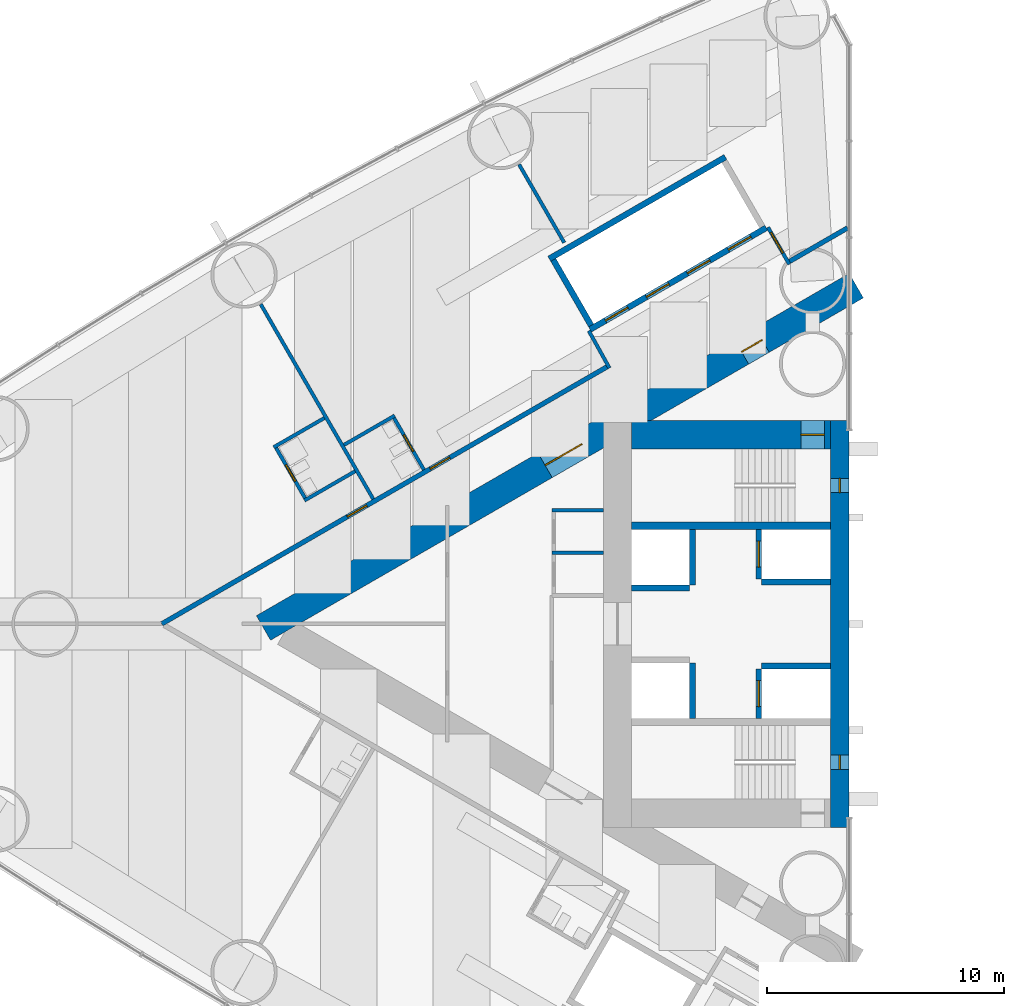
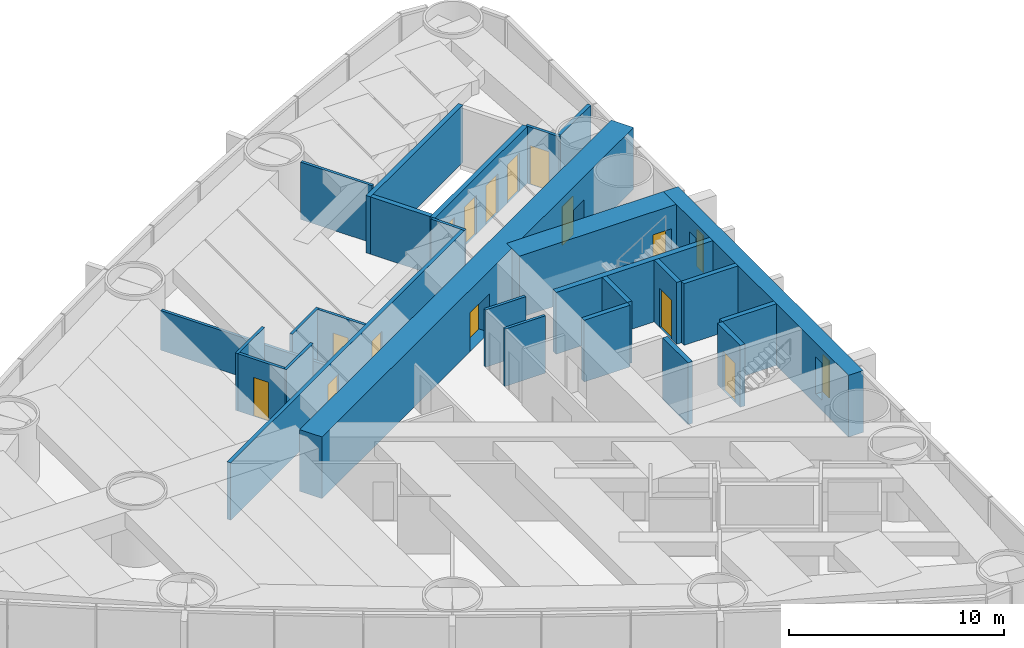
# One storey, part 12 of 19: 27 walls, 14 doors, 2 windows, 16 openings.
"""IFC4 building model written with IfcOpenShell, lengths in metres."""

from ifc_helpers import new_model, si_unit, direction, frame, frame_2d, origin, place, context, subcontext, project, spatial, rectangle, extrude, material, layer, layer_set, type_object, element, fill, save


model = new_model("IFC4")

# Units and contexts
model_context = context("Model", 3, precision=1e-05, world=origin(), true_north=direction((0.0, 1.0)))
body_context = subcontext(model_context, "Body", "Model", "MODEL_VIEW")
ifc_project = project(units=[si_unit("LENGTHUNIT", "METRE"), si_unit("AREAUNIT", "SQUARE_METRE"), si_unit("VOLUMEUNIT", "CUBIC_METRE"), si_unit("PLANEANGLEUNIT", "RADIAN"), si_unit("MASSUNIT", "GRAM", prefix="KILO")], contexts=[model_context])

# Site, building, storey
site_placement = place(None, origin())
site = spatial("IfcSite", under=ifc_project, at=site_placement, CompositionType="ELEMENT")
building_placement = place(site_placement, origin())
building = spatial("IfcBuilding", under=site, at=building_placement, Name="Lancet Gate Hotel", CompositionType="ELEMENT")
storey_placement = place(building_placement, frame((0.0, 0.0, 21.5)))
storey = spatial("IfcBuildingStorey", under=building, at=storey_placement, Name="L04", CompositionType="ELEMENT", Elevation=21.5)

# Wall
ifc_material_1 = material(Name="Moisture resistant board partition")
ifc_layer_1 = layer(ifc_material_1, 0.14990234375)
ifc_layer_set_1 = layer_set([ifc_layer_1], Name="Bathroom wall 150")
wall_type_1 = type_object("IfcWallType", Name="Bathroom wall 150", PredefinedType="PARTITIONING", material=ifc_layer_set_1)
wall_1_placement = place(storey_placement, frame((-49.691650390625, 8.704345703125, 0.0), z_axis=(0.0, 0.0, 1.0), x_axis=(-0.866073894602, -0.499916002032, 0.0)))
element("IfcWall", 1, at=wall_1_placement, inside=storey, type_object=wall_type_1, Name="T1 bathroom wall 150 L04", PredefinedType="PARTITIONING", context=body_context, shape_type="SweptSolid", body=[
    extrude(rectangle(XDim=2.47509765625, YDim=0.14990234375, at=frame_2d((1.237548828125, 0.0))), origin(), (0.0, 0.0, 1.0), 3.25),
])

# Wall, opening, door
wall_2_placement = place(storey_placement, frame((-50.47021484375, 5.252685546875, 0.0), z_axis=(0.0, 0.0, 1.0), x_axis=(-0.500006934395, 0.866021400173, 0.0)))
wall_2 = element("IfcWall", 2, at=wall_2_placement, inside=storey, type_object=wall_type_1, Name="T1 bathroom wall 150 L04", PredefinedType="PARTITIONING", context=body_context, shape_type="SweptSolid", body=[
    extrude(rectangle(XDim=2.60009765625, YDim=0.14990234375, at=frame_2d((1.300048828125, 0.0))), origin(), (0.0, 0.0, 1.0), 3.25),
])
opening_1_placement = place(wall_2_placement, frame((0.89990234375, 0.0, 0.0)))
opening_1 = element("IfcOpeningElement", 3, at=opening_1_placement, cuts=wall_2, Name="Opening 0403-B", PredefinedType="OPENING", context=body_context, shape_type="SweptSolid", body=[
    extrude(rectangle(XDim=0.800048828125, YDim=2.199951171875, at=frame_2d((0.39990234375, 1.10009765625))), frame((0.0, 0.0849609375, 0.0), z_axis=(0.0, -1.0, 0.0), x_axis=(1.0, 0.0, 0.0)), (0.0, 0.0, 1.0), 0.169921875),
])
ifc_material_2 = material(Name="Timber door set", Category="wood")
door_type_1 = type_object("IfcDoorType", Name="Bathroom door 800", OperationType="SINGLE_SWING_RIGHT", PredefinedType="DOOR", material=ifc_material_2)
door_1_placement = place(opening_1_placement, origin())
door_1 = element("IfcDoor", 4, at=door_1_placement, inside=storey, type_object=door_type_1, Name="0403-B", OperationType="SINGLE_SWING_RIGHT", OverallHeight=2.199951171875, OverallWidth=0.800048828125, PredefinedType="DOOR", context=body_context, shape_type="SweptSolid", body=[
    extrude(rectangle(XDim=0.800048828125, YDim=2.199951171875, at=frame_2d((0.39990234375, 1.10009765625))), frame((0.0, 0.02490234375, 0.0), z_axis=(0.0, -1.0, 0.0), x_axis=(1.0, 0.0, 0.0)), (0.0, 0.0, 1.0), 0.050048828125),
])
fill(opening_1, door_1)

# Walls
for number, where, z_axis, x_axis, name in (
    (5, (-48.391845703125, 6.45263671875, 0.0), (0.0, 0.0, 1.0), (-0.86604923931, -0.499958713387, 0.0), "T1 bathroom wall 150 L04"),
    (6, (-46.718505859375, 8.804443359375, 0.0), (0.0, 0.0, 1.0), (-0.866006523861, -0.500032699561, 0.0), "T1 bathroom wall 150 L04"),
):
    element("IfcWall", number, at=place(storey_placement, frame(where, z_axis=z_axis, x_axis=x_axis)), inside=storey, type_object=wall_type_1, Name=name, PredefinedType="PARTITIONING", context=body_context, shape_type="SweptSolid", body=[
        extrude(rectangle(XDim=2.474853515625, YDim=0.14990234375, at=frame_2d((1.2373046875, 0.0))), origin(), (0.0, 0.0, 1.0), 3.25),
    ])

# Wall, opening, door
wall_3_placement = place(storey_placement, frame((-45.4833984375, 6.515380859375, 0.0), z_axis=(0.0, 0.0, 1.0), x_axis=(-0.500006934395, 0.866021400173, 0.0)))
wall_3 = element("IfcWall", 7, at=wall_3_placement, inside=storey, type_object=wall_type_1, Name="T1 bathroom wall 150 L04", PredefinedType="PARTITIONING", context=body_context, shape_type="SweptSolid", body=[
    extrude(rectangle(XDim=2.60009765625, YDim=0.14990234375, at=frame_2d((1.300048828125, 0.0))), origin(), (0.0, 0.0, 1.0), 3.25),
])
opening_2_placement = place(wall_3_placement, frame((0.89990234375, 0.0, 0.0)))
opening_2 = element("IfcOpeningElement", 8, at=opening_2_placement, cuts=wall_3, Name="Opening 0402-B", PredefinedType="OPENING", context=body_context, shape_type="SweptSolid", body=[
    extrude(rectangle(XDim=0.800048828125, YDim=2.199951171875, at=frame_2d((0.39990234375, 1.10009765625))), frame((0.0, 0.0849609375, 0.0), z_axis=(0.0, -1.0, 0.0), x_axis=(1.0, 0.0, 0.0)), (0.0, 0.0, 1.0), 0.169921875),
])
door_2_placement = place(opening_2_placement, origin())
door_2 = element("IfcDoor", 9, at=door_2_placement, inside=storey, type_object=door_type_1, Name="0402-B", OperationType="SINGLE_SWING_RIGHT", OverallHeight=2.199951171875, OverallWidth=0.800048828125, PredefinedType="DOOR", context=body_context, shape_type="SweptSolid", body=[
    extrude(rectangle(XDim=0.800048828125, YDim=2.199951171875, at=frame_2d((0.39990234375, 1.10009765625))), frame((0.0, 0.02490234375, 0.0), z_axis=(0.0, -1.0, 0.0), x_axis=(1.0, 0.0, 0.0)), (0.0, 0.0, 1.0), 0.050048828125),
])
fill(opening_2, door_2)

# Wall, openings, doors
ifc_material_3 = material(Name="Concrete C70/85", Category="concrete")
ifc_layer_2 = layer(ifc_material_3, 1.199951171875)
ifc_layer_set_2 = layer_set([ifc_layer_2], Name="Buttress wall 1200")
wall_type_2 = type_object("IfcWallType", Name="Buttress wall 1200", PredefinedType="SHEAR", material=ifc_layer_set_2)
wall_4_placement = place(storey_placement, frame((-27.199951171875, 14.300048828125, 0.0), z_axis=(0.0, 0.0, 1.0), x_axis=(-0.866026593062, -0.499997940104, 0.0)))
wall_4 = element("IfcWall", 10, at=wall_4_placement, inside=storey, type_object=wall_type_2, Name="T1 buttress wall S L04", PredefinedType="SHEAR", context=body_context, shape_type="SweptSolid", body=[
    extrude(rectangle(XDim=28.9462890625, YDim=1.199951171875, at=frame_2d((14.47314453125, 0.0))), origin(), (0.0, 0.0, 1.0), 3.5),
])
opening_3_placement = place(wall_4_placement, frame((4.60009765625, 0.0, 0.0)))
opening_3 = element("IfcOpeningElement", 11, at=opening_3_placement, cuts=wall_4, Name="Opening T1-L04-LS", PredefinedType="OPENING", context=body_context, shape_type="SweptSolid", body=[
    extrude(rectangle(XDim=1.0, YDim=2.199951171875, at=frame_2d((0.5, 1.10009765625))), frame((0.0, 0.60986328125, 0.0), z_axis=(0.0, -1.0, 0.0), x_axis=(1.0, 0.0, 0.0)), (0.0, 0.0, 1.0), 1.219970703125),
])
opening_4_placement = place(wall_4_placement, frame((13.39453125, 0.0, 0.0)))
opening_4 = element("IfcOpeningElement", 12, at=opening_4_placement, cuts=wall_4, Name="Opening T1-L04-LHS", PredefinedType="OPENING", context=body_context, shape_type="SweptSolid", body=[
    extrude(rectangle(XDim=1.800048828125, YDim=2.199951171875, at=frame_2d((0.89990234375, 1.10009765625))), frame((0.0, 0.60986328125, 0.0), z_axis=(0.0, -1.0, 0.0), x_axis=(1.0, 0.0, 0.0)), (0.0, 0.0, 1.0), 1.219970703125),
])
ifc_material_4 = material(Name="Timber door set", Category="wood")
door_type_2 = type_object("IfcDoorType", Name="Lobby double door 1800", OperationType="DOUBLE_DOOR_SINGLE_SWING", PredefinedType="DOOR", material=ifc_material_4)
door_3_placement = place(opening_4_placement, origin())
door_3 = element("IfcDoor", 13, at=door_3_placement, inside=storey, type_object=door_type_2, Name="T1-L04-LHS", OperationType="DOUBLE_DOOR_SINGLE_SWING", OverallHeight=2.199951171875, OverallWidth=1.800048828125, PredefinedType="DOOR", context=body_context, shape_type="SweptSolid", body=[
    extrude(rectangle(XDim=1.800048828125, YDim=2.199951171875, at=frame_2d((0.89990234375, 1.10009765625))), frame((0.0, 0.02490234375, 0.0), z_axis=(0.0, -1.0, 0.0), x_axis=(1.0, 0.0, 0.0)), (0.0, 0.0, 1.0), 0.050048828125),
])
fill(opening_4, door_3)
ifc_material_5 = material(Name="Timber door set", Category="wood")
door_type_3 = type_object("IfcDoorType", Name="Stair lobby door 1000", OperationType="SINGLE_SWING_LEFT", PredefinedType="DOOR", material=ifc_material_5)
door_4_placement = place(opening_3_placement, origin())
door_4 = element("IfcDoor", 14, at=door_4_placement, inside=storey, type_object=door_type_3, Name="T1-L04-LS", OperationType="SINGLE_SWING_LEFT", OverallHeight=2.199951171875, OverallWidth=1.0, PredefinedType="DOOR", context=body_context, shape_type="SweptSolid", body=[
    extrude(rectangle(XDim=1.0, YDim=2.199951171875, at=frame_2d((0.5, 1.10009765625))), frame((0.0, 0.02490234375, 0.0), z_axis=(0.0, -1.0, 0.0), x_axis=(1.0, 0.0, 0.0)), (0.0, 0.0, 1.0), 0.050048828125),
])
fill(opening_3, door_4)

# Wall, opening, door
ifc_material_6 = material(Name="Concrete C70/85", Category="concrete")
ifc_layer_3 = layer(ifc_material_6, 1.199951171875)
ifc_layer_set_3 = layer_set([ifc_layer_3], Name="Core wall 1200")
wall_type_3 = type_object("IfcWallType", Name="Core wall 1200", PredefinedType="SHEAR", material=ifc_layer_set_3)
wall_5_placement = place(storey_placement, frame((-28.300048828125, 8.0, 0.0), z_axis=(0.0, 0.0, 1.0), x_axis=(-1.0, 0.0, 0.0)))
wall_5 = element("IfcWall", 15, at=wall_5_placement, inside=storey, type_object=wall_type_3, Name="T1 core wall side-S L04", PredefinedType="SHEAR", context=body_context, shape_type="SweptSolid", body=[
    extrude(rectangle(XDim=8.39990234375, YDim=1.199951171875, at=frame_2d((4.199951171875, 0.0))), origin(), (0.0, 0.0, 1.0), 3.5),
])
opening_5_placement = place(wall_5_placement, frame((0.25, 0.0, 0.0)))
opening_5 = element("IfcOpeningElement", 16, at=opening_5_placement, cuts=wall_5, Name="Opening T1-L04-ST1", PredefinedType="OPENING", context=body_context, shape_type="SweptSolid", body=[
    extrude(rectangle(XDim=1.0, YDim=2.199951171875, at=frame_2d((0.5, 1.10009765625))), frame((0.0, 0.60986328125, 0.0), z_axis=(0.0, -1.0, 0.0), x_axis=(1.0, 0.0, 0.0)), (0.0, 0.0, 1.0), 1.219970703125),
])
ifc_material_7 = material(Name="Timber door set", Category="wood")
door_type_4 = type_object("IfcDoorType", Name="Stair door 1000", OperationType="SINGLE_SWING_RIGHT", PredefinedType="DOOR", material=ifc_material_7)
door_5_placement = place(opening_5_placement, origin())
door_5 = element("IfcDoor", 17, at=door_5_placement, inside=storey, type_object=door_type_4, Name="T1-L04-ST1", OperationType="SINGLE_SWING_RIGHT", OverallHeight=2.199951171875, OverallWidth=1.0, PredefinedType="DOOR", context=body_context, shape_type="SweptSolid", body=[
    extrude(rectangle(XDim=1.0, YDim=2.199951171875, at=frame_2d((0.5, 1.10009765625))), frame((0.0, 0.02490234375, 0.0), z_axis=(0.0, -1.0, 0.0), x_axis=(1.0, 0.0, 0.0)), (0.0, 0.0, 1.0), 0.050048828125),
])
fill(opening_5, door_5)

# Wall, openings, windows
ifc_material_8 = material(Name="Concrete C70/85", Category="concrete")
ifc_layer_4 = layer(ifc_material_8, 0.800048828125)
ifc_layer_set_4 = layer_set([ifc_layer_4], Name="Core wall 800")
wall_type_4 = type_object("IfcWallType", Name="Core wall 800", PredefinedType="SHEAR", material=ifc_layer_set_4)
wall_6_placement = place(storey_placement, frame((-27.89990234375, 8.60009765625, 0.0), z_axis=(0.0, 0.0, 1.0), x_axis=(0.0, -1.0, 0.0)))
wall_6 = element("IfcWall", 18, at=wall_6_placement, inside=storey, type_object=wall_type_4, Name="T1 core wall front L04", PredefinedType="SHEAR", context=body_context, shape_type="SweptSolid", body=[
    extrude(rectangle(XDim=17.2001953125, YDim=0.800048828125, at=frame_2d((8.60009765625, 0.0))), origin(), (0.0, 0.0, 1.0), 3.5),
])
opening_6_placement = place(wall_6_placement, frame((2.449951171875, 0.0, 0.60009765625)))
opening_6 = element("IfcOpeningElement", 19, at=opening_6_placement, cuts=wall_6, Name="Opening LW1", PredefinedType="OPENING", context=body_context, shape_type="SweptSolid", body=[
    extrude(rectangle(XDim=0.60009765625, YDim=2.10009765625, at=frame_2d((0.300048828125, 1.050048828125))), frame((0.0, 0.409912109375, 0.0), z_axis=(0.0, -1.0, 0.0), x_axis=(1.0, 0.0, 0.0)), (0.0, 0.0, 1.0), 0.820068359375),
])
opening_7_placement = place(wall_6_placement, frame((14.14990234375, 0.0, 0.60009765625)))
opening_7 = element("IfcOpeningElement", 20, at=opening_7_placement, cuts=wall_6, Name="Opening LW1", PredefinedType="OPENING", context=body_context, shape_type="SweptSolid", body=[
    extrude(rectangle(XDim=0.60009765625, YDim=2.10009765625, at=frame_2d((0.300048828125, 1.050048828125))), frame((0.0, 0.409912109375, 0.0), z_axis=(0.0, -1.0, 0.0), x_axis=(1.0, 0.0, 0.0)), (0.0, 0.0, 1.0), 0.820068359375),
])
ifc_material_9 = material(Name="Fire-resisting glazed steel window", Category="steel")
window_type = type_object("IfcWindowType", Name="Lancet window 600x2100", PartitioningType="SINGLE_PANEL", PredefinedType="WINDOW", material=ifc_material_9)
window_1_placement = place(opening_6_placement, origin())
window_1 = element("IfcWindow", 21, at=window_1_placement, inside=storey, type_object=window_type, Name="T1 stair window S L04", OverallHeight=2.10009765625, OverallWidth=0.60009765625, PartitioningType="SINGLE_PANEL", PredefinedType="WINDOW", context=body_context, shape_type="SweptSolid", body=[
    extrude(rectangle(XDim=0.60009765625, YDim=2.10009765625, at=frame_2d((0.300048828125, 1.050048828125))), frame((0.0, 0.030029296875, 0.0), z_axis=(0.0, -1.0, 0.0), x_axis=(1.0, 0.0, 0.0)), (0.0, 0.0, 1.0), 0.06005859375),
])
fill(opening_6, window_1)
window_2_placement = place(opening_7_placement, origin())
window_2 = element("IfcWindow", 22, at=window_2_placement, inside=storey, type_object=window_type, Name="T1 stair window N L04", OverallHeight=2.10009765625, OverallWidth=0.60009765625, PartitioningType="SINGLE_PANEL", PredefinedType="WINDOW", context=body_context, shape_type="SweptSolid", body=[
    extrude(rectangle(XDim=0.60009765625, YDim=2.10009765625, at=frame_2d((0.300048828125, 1.050048828125))), frame((0.0, 0.030029296875, 0.0), z_axis=(0.0, -1.0, 0.0), x_axis=(1.0, 0.0, 0.0)), (0.0, 0.0, 1.0), 0.06005859375),
])
fill(opening_7, window_2)

# Wall
ifc_material_10 = material(Name="Gypsum board partition")
ifc_layer_5 = layer(ifc_material_10, 0.199951171875)
ifc_layer_set_5 = layer_set([ifc_layer_5], Name="Corridor wall 200")
wall_type_5 = type_object("IfcWallType", Name="Corridor wall 200", PredefinedType="PARTITIONING", material=ifc_layer_set_5)
wall_7_placement = place(storey_placement, frame((-27.572021484375, 16.740966796875, 0.0), z_axis=(0.0, 0.0, 1.0), x_axis=(-0.866034618596, -0.499984039138, 0.0)))
element("IfcWall", 23, at=wall_7_placement, inside=storey, type_object=wall_type_5, Name="T1 corridor wall 200 L04", PredefinedType="PARTITIONING", context=body_context, shape_type="SweptSolid", body=[
    extrude(rectangle(XDim=2.8544921875, YDim=0.199951171875, at=frame_2d((1.42724609375, 0.0))), origin(), (0.0, 0.0, 1.0), 3.25),
])

# Wall, openings, doors
wall_8_placement = place(storey_placement, frame((-37.699951171875, 10.8935546875, 0.0), z_axis=(0.0, 0.0, 1.0), x_axis=(-0.866027905338, -0.499995667157, 0.0)))
wall_8 = element("IfcWall", 24, at=wall_8_placement, inside=storey, type_object=wall_type_5, Name="T1 corridor wall 200 L04", PredefinedType="PARTITIONING", context=body_context, shape_type="SweptSolid", body=[
    extrude(rectangle(XDim=21.787353515625, YDim=0.199951171875, at=frame_2d((10.8935546875, 0.0))), origin(), (0.0, 0.0, 1.0), 3.25),
])
opening_8_placement = place(wall_8_placement, frame((11.77978515625, 0.0, 0.0)))
opening_8 = element("IfcOpeningElement", 25, at=opening_8_placement, cuts=wall_8, Name="Opening 0403-E", PredefinedType="OPENING", context=body_context, shape_type="SweptSolid", body=[
    extrude(rectangle(XDim=0.949951171875, YDim=2.199951171875, at=frame_2d((0.47509765625, 1.10009765625))), frame((0.0, 0.10986328125, 0.0), z_axis=(0.0, -1.0, 0.0), x_axis=(1.0, 0.0, 0.0)), (0.0, 0.0, 1.0), 0.219970703125),
])
opening_9_placement = place(wall_8_placement, frame((7.729736328125, 0.0, 0.0)))
opening_9 = element("IfcOpeningElement", 26, at=opening_9_placement, cuts=wall_8, Name="Opening 0402-E", PredefinedType="OPENING", context=body_context, shape_type="SweptSolid", body=[
    extrude(rectangle(XDim=0.949951171875, YDim=2.199951171875, at=frame_2d((0.47509765625, 1.10009765625))), frame((0.0, 0.10986328125, 0.0), z_axis=(0.0, -1.0, 0.0), x_axis=(1.0, 0.0, 0.0)), (0.0, 0.0, 1.0), 0.219970703125),
])
ifc_material_11 = material(Name="Timber door set", Category="wood")
door_type_5 = type_object("IfcDoorType", Name="Guest room entry door 950", OperationType="SINGLE_SWING_LEFT", PredefinedType="DOOR", material=ifc_material_11)
door_6_placement = place(opening_8_placement, origin())
door_6 = element("IfcDoor", 27, at=door_6_placement, inside=storey, type_object=door_type_5, Name="0403-E", OperationType="SINGLE_SWING_LEFT", OverallHeight=2.199951171875, OverallWidth=0.949951171875, PredefinedType="DOOR", context=body_context, shape_type="SweptSolid", body=[
    extrude(rectangle(XDim=0.949951171875, YDim=2.199951171875, at=frame_2d((0.47509765625, 1.10009765625))), frame((0.0, 0.02490234375, 0.0), z_axis=(0.0, -1.0, 0.0), x_axis=(1.0, 0.0, 0.0)), (0.0, 0.0, 1.0), 0.050048828125),
])
fill(opening_8, door_6)
door_7_placement = place(opening_9_placement, origin())
door_7 = element("IfcDoor", 28, at=door_7_placement, inside=storey, type_object=door_type_5, Name="0402-E", OperationType="SINGLE_SWING_LEFT", OverallHeight=2.199951171875, OverallWidth=0.949951171875, PredefinedType="DOOR", context=body_context, shape_type="SweptSolid", body=[
    extrude(rectangle(XDim=0.949951171875, YDim=2.199951171875, at=frame_2d((0.47509765625, 1.10009765625))), frame((0.0, 0.02490234375, 0.0), z_axis=(0.0, -1.0, 0.0), x_axis=(1.0, 0.0, 0.0)), (0.0, 0.0, 1.0), 0.050048828125),
])
fill(opening_9, door_7)

ifc_material_12 = material(Name="Gypsum board partition")
ifc_layer_6 = layer(ifc_material_12, 0.25)
ifc_layer_set_6 = layer_set([ifc_layer_6], Name="Lift shaft partition 250")
wall_type_6 = type_object("IfcWallType", Name="Lift shaft partition 250", PredefinedType="PARTITIONING", material=ifc_layer_set_6)
wall_9_placement = place(storey_placement, frame((-31.010498046875, 16.747314453125, 0.0), z_axis=(0.0, 0.0, 1.0), x_axis=(-0.866028165386, -0.499995216735, 0.0)))
wall_9 = element("IfcWall", 29, at=wall_9_placement, inside=storey, type_object=wall_type_6, Name="T1 lift shaft wall LR L04", PredefinedType="PARTITIONING", context=body_context, shape_type="SweptSolid", body=[
    extrude(rectangle(XDim=8.60009765625, YDim=0.25, at=frame_2d((4.300048828125, 0.0))), origin(), (0.0, 0.0, 1.0), 3.25),
])
opening_10_placement = place(wall_9_placement, frame((0.75, 0.0, 0.0)))
opening_10 = element("IfcOpeningElement", 30, at=opening_10_placement, cuts=wall_9, Name="Opening T1-LR1-L04", PredefinedType="OPENING", context=body_context, shape_type="SweptSolid", body=[
    extrude(rectangle(XDim=1.10009765625, YDim=2.199951171875, at=frame_2d((0.550048828125, 1.10009765625))), frame((0.0, 0.135009765625, 0.0), z_axis=(0.0, -1.0, 0.0), x_axis=(1.0, 0.0, 0.0)), (0.0, 0.0, 1.0), 0.27001953125),
])
opening_11_placement = place(wall_9_placement, frame((2.75, 0.0, 0.0)))
opening_11 = element("IfcOpeningElement", 31, at=opening_11_placement, cuts=wall_9, Name="Opening T1-LR2-L04", PredefinedType="OPENING", context=body_context, shape_type="SweptSolid", body=[
    extrude(rectangle(XDim=1.10009765625, YDim=2.199951171875, at=frame_2d((0.550048828125, 1.10009765625))), frame((0.0, 0.135009765625, 0.0), z_axis=(0.0, -1.0, 0.0), x_axis=(1.0, 0.0, 0.0)), (0.0, 0.0, 1.0), 0.27001953125),
])
opening_12_placement = place(wall_9_placement, frame((4.75, 0.0, 0.0)))
opening_12 = element("IfcOpeningElement", 32, at=opening_12_placement, cuts=wall_9, Name="Opening T1-LR3-L04", PredefinedType="OPENING", context=body_context, shape_type="SweptSolid", body=[
    extrude(rectangle(XDim=1.10009765625, YDim=2.199951171875, at=frame_2d((0.550048828125, 1.10009765625))), frame((0.0, 0.135009765625, 0.0), z_axis=(0.0, -1.0, 0.0), x_axis=(1.0, 0.0, 0.0)), (0.0, 0.0, 1.0), 0.27001953125),
])
opening_13_placement = place(wall_9_placement, frame((6.75, 0.0, 0.0)))
opening_13 = element("IfcOpeningElement", 33, at=opening_13_placement, cuts=wall_9, Name="Opening T1-LR4-L04", PredefinedType="OPENING", context=body_context, shape_type="SweptSolid", body=[
    extrude(rectangle(XDim=1.10009765625, YDim=2.199951171875, at=frame_2d((0.550048828125, 1.10009765625))), frame((0.0, 0.135009765625, 0.0), z_axis=(0.0, -1.0, 0.0), x_axis=(1.0, 0.0, 0.0)), (0.0, 0.0, 1.0), 0.27001953125),
])
ifc_material_13 = material(Name="Steel door set", Category="steel")
door_type_6 = type_object("IfcDoorType", Name="Lift landing door 1100", OperationType="DOUBLE_DOOR_SLIDING", PredefinedType="USERDEFINED", material=ifc_material_13)
door_8_placement = place(opening_10_placement, origin())
door_8 = element("IfcDoor", 34, at=door_8_placement, inside=storey, type_object=door_type_6, Name="T1-LR1-L04", ObjectType="LIFT LANDING DOOR", OperationType="DOUBLE_DOOR_SLIDING", OverallHeight=2.199951171875, OverallWidth=1.10009765625, PredefinedType="USERDEFINED", context=body_context, shape_type="SweptSolid", body=[
    extrude(rectangle(XDim=1.10009765625, YDim=2.199951171875, at=frame_2d((0.550048828125, 1.10009765625))), frame((0.0, 0.02490234375, 0.0), z_axis=(0.0, -1.0, 0.0), x_axis=(1.0, 0.0, 0.0)), (0.0, 0.0, 1.0), 0.050048828125),
])
fill(opening_10, door_8)
door_9_placement = place(opening_11_placement, origin())
door_9 = element("IfcDoor", 35, at=door_9_placement, inside=storey, type_object=door_type_6, Name="T1-LR2-L04", ObjectType="LIFT LANDING DOOR", OperationType="DOUBLE_DOOR_SLIDING", OverallHeight=2.199951171875, OverallWidth=1.10009765625, PredefinedType="USERDEFINED", context=body_context, shape_type="SweptSolid", body=[
    extrude(rectangle(XDim=1.10009765625, YDim=2.199951171875, at=frame_2d((0.550048828125, 1.10009765625))), frame((0.0, 0.02490234375, 0.0), z_axis=(0.0, -1.0, 0.0), x_axis=(1.0, 0.0, 0.0)), (0.0, 0.0, 1.0), 0.050048828125),
])
fill(opening_11, door_9)
door_10_placement = place(opening_12_placement, origin())
door_10 = element("IfcDoor", 36, at=door_10_placement, inside=storey, type_object=door_type_6, Name="T1-LR3-L04", ObjectType="LIFT LANDING DOOR", OperationType="DOUBLE_DOOR_SLIDING", OverallHeight=2.199951171875, OverallWidth=1.10009765625, PredefinedType="USERDEFINED", context=body_context, shape_type="SweptSolid", body=[
    extrude(rectangle(XDim=1.10009765625, YDim=2.199951171875, at=frame_2d((0.550048828125, 1.10009765625))), frame((0.0, 0.02490234375, 0.0), z_axis=(0.0, -1.0, 0.0), x_axis=(1.0, 0.0, 0.0)), (0.0, 0.0, 1.0), 0.050048828125),
])
fill(opening_12, door_10)
door_11_placement = place(opening_13_placement, origin())
door_11 = element("IfcDoor", 37, at=door_11_placement, inside=storey, type_object=door_type_6, Name="T1-LR4-L04", ObjectType="LIFT LANDING DOOR", OperationType="DOUBLE_DOOR_SLIDING", OverallHeight=2.199951171875, OverallWidth=1.10009765625, PredefinedType="USERDEFINED", context=body_context, shape_type="SweptSolid", body=[
    extrude(rectangle(XDim=1.10009765625, YDim=2.199951171875, at=frame_2d((0.550048828125, 1.10009765625))), frame((0.0, 0.02490234375, 0.0), z_axis=(0.0, -1.0, 0.0), x_axis=(1.0, 0.0, 0.0)), (0.0, 0.0, 1.0), 0.050048828125),
])
fill(opening_13, door_11)

# Walls
wall_10_placement = place(storey_placement, frame((-32.735595703125, 19.73583984375, 0.0), z_axis=(0.0, 0.0, 1.0), x_axis=(-0.866028165386, -0.499995216735, 0.0)))
element("IfcWall", 38, at=wall_10_placement, inside=storey, type_object=wall_type_6, Name="T1 lift shaft wall LR L04", PredefinedType="PARTITIONING", context=body_context, shape_type="SweptSolid", body=[
    extrude(rectangle(XDim=8.60009765625, YDim=0.25, at=frame_2d((4.300048828125, 0.0))), origin(), (0.0, 0.0, 1.0), 3.25),
])
wall_11_placement = place(storey_placement, frame((-38.412841796875, 12.617919921875, 0.0), z_axis=(0.0, 0.0, 1.0), x_axis=(-0.499872130319, 0.866099216793, 0.0)))
element("IfcWall", 39, at=wall_11_placement, inside=storey, type_object=wall_type_6, Name="T1 lift shaft wall LR L04", PredefinedType="PARTITIONING", context=body_context, shape_type="SweptSolid", body=[
    extrude(rectangle(XDim=3.200439453125, YDim=0.25, at=frame_2d((1.60009765625, 0.0))), origin(), (0.0, 0.0, 1.0), 3.25),
])

# Wall, opening, door
ifc_material_14 = material(Name="Concrete C50/60", Category="concrete")
ifc_layer_7 = layer(ifc_material_14, 0.25)
ifc_layer_set_7 = layer_set([ifc_layer_7], Name="Lift shaft wall 250")
wall_type_7 = type_object("IfcWallType", Name="Lift shaft wall 250", PredefinedType="SHEAR", material=ifc_layer_set_7)
wall_12_placement = place(storey_placement, frame((-31.324951171875, 4.0, 0.0), z_axis=(0.0, 0.0, 1.0), x_axis=(0.0, -1.0, 0.0)))
wall_12 = element("IfcWall", 40, at=wall_12_placement, inside=storey, type_object=wall_type_7, Name="T1 core wall row1-S L04", PredefinedType="SHEAR", context=body_context, shape_type="SweptSolid", body=[
    extrude(rectangle(XDim=2.10009765625, YDim=0.25, at=frame_2d((1.050048828125, 0.0))), origin(), (0.0, 0.0, 1.0), 3.5),
])
opening_14_placement = place(wall_12_placement, frame((0.5, 0.0, 0.0)))
opening_14 = element("IfcOpeningElement", 41, at=opening_14_placement, cuts=wall_12, Name="Opening T1-SL1-L04", PredefinedType="OPENING", context=body_context, shape_type="SweptSolid", body=[
    extrude(rectangle(XDim=1.10009765625, YDim=2.199951171875, at=frame_2d((0.550048828125, 1.10009765625))), frame((0.0, 0.135009765625, 0.0), z_axis=(0.0, -1.0, 0.0), x_axis=(1.0, 0.0, 0.0)), (0.0, 0.0, 1.0), 0.27001953125),
])
ifc_material_15 = material(Name="Timber door set", Category="wood")
door_type_7 = type_object("IfcDoorType", Name="Service lift landing door 1100", OperationType="SLIDING_TO_LEFT", PredefinedType="USERDEFINED", material=ifc_material_15)
door_12_placement = place(opening_14_placement, origin())
door_12 = element("IfcDoor", 42, at=door_12_placement, inside=storey, type_object=door_type_7, Name="T1-SL1-L04", ObjectType="LIFT LANDING DOOR", OperationType="SLIDING_TO_LEFT", OverallHeight=2.199951171875, OverallWidth=1.10009765625, PredefinedType="USERDEFINED", context=body_context, shape_type="SweptSolid", body=[
    extrude(rectangle(XDim=1.10009765625, YDim=2.199951171875, at=frame_2d((0.550048828125, 1.10009765625))), frame((0.0, 0.02490234375, 0.0), z_axis=(0.0, -1.0, 0.0), x_axis=(1.0, 0.0, 0.0)), (0.0, 0.0, 1.0), 0.050048828125),
])
fill(opening_14, door_12)

# Walls
wall_13_placement = place(storey_placement, frame((-34.125, 4.0, 0.0), z_axis=(0.0, 0.0, 1.0), x_axis=(0.0, -1.0, 0.0)))
element("IfcWall", 43, at=wall_13_placement, inside=storey, type_object=wall_type_7, Name="T1 core wall row2-S L04", PredefinedType="SHEAR", context=body_context, shape_type="SweptSolid", body=[
    extrude(rectangle(XDim=2.35009765625, YDim=0.25, at=frame_2d((1.175048828125, 0.0))), origin(), (0.0, 0.0, 1.0), 3.5),
])
wall_14_placement = place(storey_placement, frame((-28.300048828125, 1.77490234375, 0.0), z_axis=(0.0, 0.0, 1.0), x_axis=(-1.0, 0.0, 0.0)))
element("IfcWall", 44, at=wall_14_placement, inside=storey, type_object=wall_type_7, Name="T1 core wall pass1-S L04", PredefinedType="SHEAR", context=body_context, shape_type="SweptSolid", body=[
    extrude(rectangle(XDim=2.89990234375, YDim=0.25, at=frame_2d((1.449951171875, 0.0))), origin(), (0.0, 0.0, 1.0), 3.5),
])
wall_15_placement = place(storey_placement, frame((-34.25, 1.52490234375, 0.0), z_axis=(0.0, 0.0, 1.0), x_axis=(-1.0, 0.0, 0.0)))
element("IfcWall", 45, at=wall_15_placement, inside=storey, type_object=wall_type_7, Name="T1 core wall pass2-S L04", PredefinedType="SHEAR", context=body_context, shape_type="SweptSolid", body=[
    extrude(rectangle(XDim=2.449951171875, YDim=0.25, at=frame_2d((1.22509765625, 0.0))), origin(), (0.0, 0.0, 1.0), 3.5),
])

# Wall, opening, door
wall_16_placement = place(storey_placement, frame((-31.324951171875, -1.89990234375, 0.0), z_axis=(0.0, 0.0, 1.0), x_axis=(0.0, -1.0, 0.0)))
wall_16 = element("IfcWall", 46, at=wall_16_placement, inside=storey, type_object=wall_type_7, Name="T1 core wall row1-N L04", PredefinedType="SHEAR", context=body_context, shape_type="SweptSolid", body=[
    extrude(rectangle(XDim=2.10009765625, YDim=0.25, at=frame_2d((1.050048828125, 0.0))), origin(), (0.0, 0.0, 1.0), 3.5),
])
opening_15_placement = place(wall_16_placement, frame((0.5, 0.0, 0.0)))
opening_15 = element("IfcOpeningElement", 47, at=opening_15_placement, cuts=wall_16, Name="Opening T1-FL2-L04", PredefinedType="OPENING", context=body_context, shape_type="SweptSolid", body=[
    extrude(rectangle(XDim=1.10009765625, YDim=2.199951171875, at=frame_2d((0.550048828125, 1.10009765625))), frame((0.0, 0.135009765625, 0.0), z_axis=(0.0, -1.0, 0.0), x_axis=(1.0, 0.0, 0.0)), (0.0, 0.0, 1.0), 0.27001953125),
])
ifc_material_16 = material(Name="Steel door set", Category="steel")
door_type_8 = type_object("IfcDoorType", Name="Firefighting lift landing door 1100", OperationType="SLIDING_TO_LEFT", PredefinedType="USERDEFINED", material=ifc_material_16)
door_13_placement = place(opening_15_placement, origin())
door_13 = element("IfcDoor", 48, at=door_13_placement, inside=storey, type_object=door_type_8, Name="T1-FL2-L04", ObjectType="LIFT LANDING DOOR", OperationType="SLIDING_TO_LEFT", OverallHeight=2.199951171875, OverallWidth=1.10009765625, PredefinedType="USERDEFINED", context=body_context, shape_type="SweptSolid", body=[
    extrude(rectangle(XDim=1.10009765625, YDim=2.199951171875, at=frame_2d((0.550048828125, 1.10009765625))), frame((0.0, 0.02490234375, 0.0), z_axis=(0.0, -1.0, 0.0), x_axis=(1.0, 0.0, 0.0)), (0.0, 0.0, 1.0), 0.050048828125),
])
fill(opening_15, door_13)

# Walls
wall_17_placement = place(storey_placement, frame((-34.125, -1.64990234375, 0.0), z_axis=(0.0, 0.0, 1.0), x_axis=(0.0, -1.0, 0.0)))
element("IfcWall", 49, at=wall_17_placement, inside=storey, type_object=wall_type_7, Name="T1 core wall row2-N L04", PredefinedType="SHEAR", context=body_context, shape_type="SweptSolid", body=[
    extrude(rectangle(XDim=2.35009765625, YDim=0.25, at=frame_2d((1.175048828125, 0.0))), origin(), (0.0, 0.0, 1.0), 3.5),
])
wall_18_placement = place(storey_placement, frame((-28.300048828125, -1.77490234375, 0.0), z_axis=(0.0, 0.0, 1.0), x_axis=(-1.0, 0.0, 0.0)))
element("IfcWall", 50, at=wall_18_placement, inside=storey, type_object=wall_type_7, Name="T1 core wall pass1-N L04", PredefinedType="SHEAR", context=body_context, shape_type="SweptSolid", body=[
    extrude(rectangle(XDim=2.89990234375, YDim=0.25, at=frame_2d((1.449951171875, 0.0))), origin(), (0.0, 0.0, 1.0), 3.5),
])
ifc_material_17 = material(Name="Gypsum board partition")
ifc_layer_8 = layer(ifc_material_17, 0.14990234375)
ifc_layer_set_8 = layer_set([ifc_layer_8], Name="Party wall 150")
wall_type_8 = type_object("IfcWallType", Name="Party wall 150", PredefinedType="PARTITIONING", material=ifc_layer_set_8)
wall_19_placement = place(storey_placement, frame((-47.626708984375, 5.27783203125, 0.0), z_axis=(0.0, 0.0, 1.0), x_axis=(-0.500009844318, 0.86601972009, 0.0)))
element("IfcWall", 51, at=wall_19_placement, inside=storey, type_object=wall_type_8, Name="T1 party wall 150 L04", PredefinedType="PARTITIONING", context=body_context, shape_type="SweptSolid", body=[
    extrude(rectangle(XDim=9.510498046875, YDim=0.14990234375, at=frame_2d((4.75537109375, 0.0))), origin(), (0.0, 0.0, 1.0), 2.25),
])
wall_20_placement = place(storey_placement, frame((-39.55078125, 16.11865234375, 0.0), z_axis=(0.0, 0.0, 1.0), x_axis=(-0.500014214979, 0.866017196607, 0.0)))
element("IfcWall", 52, at=wall_20_placement, inside=storey, type_object=wall_type_8, Name="T1 party wall 150 L04", PredefinedType="PARTITIONING", context=body_context, shape_type="SweptSolid", body=[
    extrude(rectangle(XDim=3.81494140625, YDim=0.14990234375, at=frame_2d((1.907470703125, 0.0))), origin(), (0.0, 0.0, 1.0), 3.25),
])
ifc_material_18 = material(Name="Gypsum board partition")
ifc_layer_9 = layer(ifc_material_18, 0.14990234375)
ifc_layer_set_9 = layer_set([ifc_layer_9], Name="Service room wall 150")
wall_type_9 = type_object("IfcWallType", Name="Service room wall 150", PredefinedType="PARTITIONING", material=ifc_layer_set_9)
wall_21_placement = place(storey_placement, frame((-38.513427734375, 12.392333984375, 0.0), z_axis=(0.0, 0.0, 1.0), x_axis=(0.485585508183, -0.874189175317, 0.0)))
element("IfcWall", 53, at=wall_21_placement, inside=storey, type_object=wall_type_9, Name="T1 service room wall 150 L04", PredefinedType="PARTITIONING", context=body_context, shape_type="SweptSolid", body=[
    extrude(rectangle(XDim=1.804931640625, YDim=0.14990234375, at=frame_2d((0.90234375, 0.0))), origin(), (0.0, 0.0, 1.0), 3.25),
])

# Wall, opening, door
wall_22_placement = place(storey_placement, frame((-30.033203125, 15.20458984375, 0.0), z_axis=(0.0, 0.0, 1.0), x_axis=(-0.499980071345, 0.866036909293, 0.0)))
wall_22 = element("IfcWall", 54, at=wall_22_placement, inside=storey, type_object=wall_type_9, Name="T1 service room wall 150 L04", PredefinedType="PARTITIONING", context=body_context, shape_type="SweptSolid", body=[
    extrude(rectangle(XDim=1.8046875, YDim=0.14990234375, at=frame_2d((0.90234375, 0.0))), origin(), (0.0, 0.0, 1.0), 3.25),
])
opening_16_placement = place(wall_22_placement, frame((0.552001953125, 0.0, 0.0)))
opening_16 = element("IfcOpeningElement", 55, at=opening_16_placement, cuts=wall_22, Name="Opening T1-L04-LO1", PredefinedType="OPENING", context=body_context, shape_type="SweptSolid", body=[
    extrude(rectangle(XDim=1.0, YDim=2.199951171875, at=frame_2d((0.5, 1.10009765625))), frame((0.0, 0.0849609375, 0.0), z_axis=(0.0, -1.0, 0.0), x_axis=(1.0, 0.0, 0.0)), (0.0, 0.0, 1.0), 0.169921875),
])
ifc_material_19 = material(Name="Timber door set", Category="wood")
door_type_9 = type_object("IfcDoorType", Name="Service door 1000", OperationType="SINGLE_SWING_LEFT", PredefinedType="DOOR", material=ifc_material_19)
door_14_placement = place(opening_16_placement, origin())
door_14 = element("IfcDoor", 56, at=door_14_placement, inside=storey, type_object=door_type_9, Name="T1-L04-LO1", OperationType="SINGLE_SWING_LEFT", OverallHeight=2.199951171875, OverallWidth=1.0, PredefinedType="DOOR", context=body_context, shape_type="SweptSolid", body=[
    extrude(rectangle(XDim=1.0, YDim=2.199951171875, at=frame_2d((0.5, 1.10009765625))), frame((0.0, 0.02490234375, 0.0), z_axis=(0.0, -1.0, 0.0), x_axis=(1.0, 0.0, 0.0)), (0.0, 0.0, 1.0), 0.050048828125),
])
fill(opening_16, door_14)

# Walls
for number, where, z_axis, x_axis, name in (
    (57, (-37.89990234375, 3.0, 0.0), (0.0, 0.0, 1.0), (-1.0, 0.0, 0.0), "T1 service room wall 150 L04"),
    (58, (-37.89990234375, 4.800048828125, 0.0), (0.0, 0.0, 1.0), (-1.0, 0.0, 0.0), "T1 service room wall 150 L04"),
):
    element("IfcWall", number, at=place(storey_placement, frame(where, z_axis=z_axis, x_axis=x_axis)), inside=storey, type_object=wall_type_9, Name=name, PredefinedType="PARTITIONING", context=body_context, shape_type="SweptSolid", body=[
        extrude(rectangle(XDim=2.175048828125, YDim=0.14990234375, at=frame_2d((1.08740234375, 0.0))), origin(), (0.0, 0.0, 1.0), 3.25),
    ])
ifc_material_20 = material(Name="Concrete C50/60", Category="concrete")
ifc_layer_10 = layer(ifc_material_20, 0.300048828125)
ifc_layer_set_10 = layer_set([ifc_layer_10], Name="Stair enclosure wall 300")
wall_type_10 = type_object("IfcWallType", Name="Stair enclosure wall 300", PredefinedType="SHEAR", material=ifc_layer_set_10)
wall_23_placement = place(storey_placement, frame((-28.300048828125, 4.14990234375, 0.0), z_axis=(0.0, 0.0, 1.0), x_axis=(-1.0, 0.0, 0.0)))
element("IfcWall", 59, at=wall_23_placement, inside=storey, type_object=wall_type_10, Name="T1 core wall stair-S L04", PredefinedType="SHEAR", context=body_context, shape_type="SweptSolid", body=[
    extrude(rectangle(XDim=8.39990234375, YDim=0.300048828125, at=frame_2d((4.199951171875, 0.0))), origin(), (0.0, 0.0, 1.0), 3.5),
])

save(model, "model.ifc")
